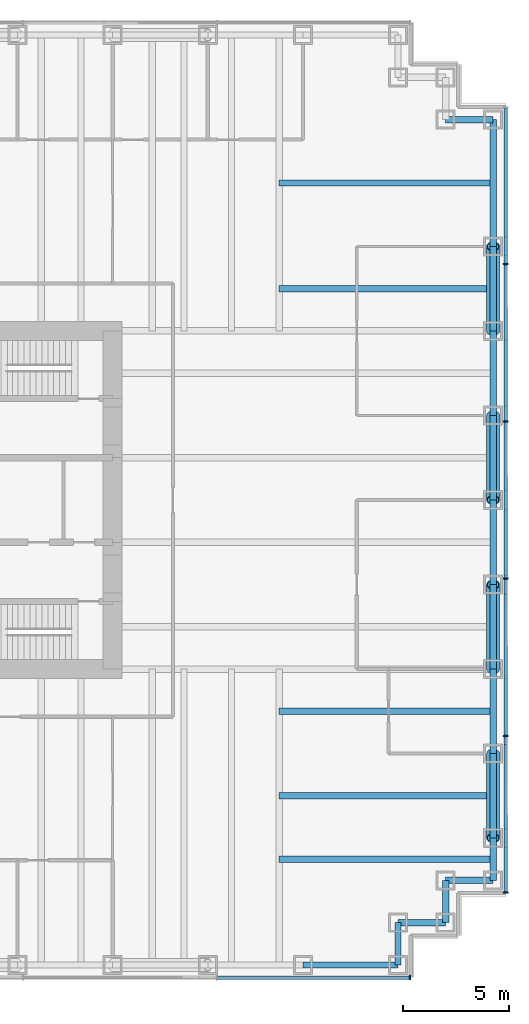
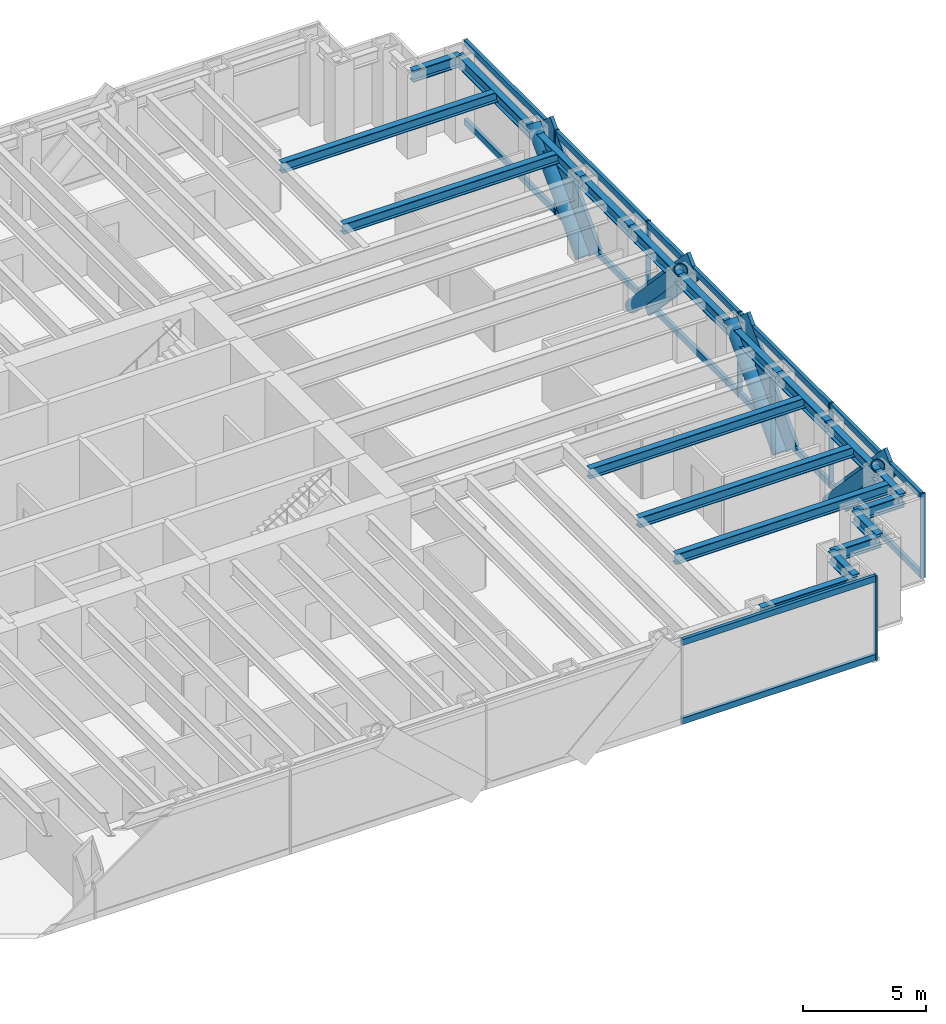
# One storey, part 8 of 16: 26 members, 20 beams, 2 elements without a shape of their own.
"""IFC4 building model written with IfcOpenShell, lengths in metres."""

from ifc_helpers import new_model, si_unit, direction, frame, origin, origin_2d, place, context, subcontext, project, spatial, rectangle, hollow_circle, i_section, extrude, material, material_profile, profile_set, type_object, element, aggregate, save


model = new_model("IFC4")

# Units and contexts
model_context = context("Model", 3, precision=1e-05, world=origin(), true_north=direction((0.0, 1.0)))
body_context = subcontext(model_context, "Body", "Model", "MODEL_VIEW")
ifc_project = project(units=[si_unit("LENGTHUNIT", "METRE"), si_unit("AREAUNIT", "SQUARE_METRE"), si_unit("VOLUMEUNIT", "CUBIC_METRE"), si_unit("PLANEANGLEUNIT", "RADIAN"), si_unit("MASSUNIT", "GRAM", prefix="KILO")], contexts=[model_context])

# Site, building, storey
site_placement = place(None, origin())
site = spatial("IfcSite", under=ifc_project, at=site_placement, CompositionType="ELEMENT")
building_placement = place(site_placement, origin())
building = spatial("IfcBuilding", under=site, at=building_placement, Name="Rheinbord Bourse Tower", CompositionType="ELEMENT")
storey_placement = place(building_placement, frame((0.0, 0.0, 171.89990234375)))
storey = spatial("IfcBuildingStorey", under=building, at=storey_placement, Name="L38", CompositionType="ELEMENT", Elevation=171.89990234375)

# Curtain wall, members
ifc_material_1 = material(Name="Dark glass and black aluminium", Category="aluminium")
curtain_wall_type = type_object("IfcCurtainWallType", Name="CW2 DARK GLASS CURTAIN WALL", PredefinedType="USERDEFINED", material=ifc_material_1)
curtain_wall_1_placement = place(storey_placement, origin())
curtain_wall_1 = element("IfcCurtainWall", 1, at=curtain_wall_1_placement, inside=storey, type_object=curtain_wall_type, Name="Curtain wall CW2 E L38", ObjectType="UNITISED CURTAIN WALL", PredefinedType="USERDEFINED")
ifc_material_2 = material(Name="Black anodised aluminium", Category="aluminium")
ifc_material_profile_1 = material_profile(ifc_material_2, rectangle(XDim=0.159912109375, YDim=1.2099609375, at=origin_2d()), Name="CW2 DIAGONAL MULLION 1210x160")
ifc_profile_set_1 = profile_set([ifc_material_profile_1], Name="Black anodised aluminium")
member_type_1 = type_object("IfcMemberType", Name="CW2 BLACK DIAGONAL MULLION", PredefinedType="USERDEFINED", material=ifc_profile_set_1)
member_1_placement = place(storey_placement, frame((72.60009765625, 16.0, 0.0), z_axis=(0.0, 0.689638355374, 0.72415394689), x_axis=(-1.0, 0.0, 0.0)))
member_1 = element("IfcMember", 2, at=member_1_placement, type_object=member_type_1, Name="CW2 diagonal mullion a", ObjectType="DIAGONAL MULLION", PredefinedType="USERDEFINED", context=body_context, shape_type="SweptSolid", body=[
    extrude(rectangle(XDim=0.159912109375, YDim=1.2099609375, at=origin_2d()), origin(), (0.0, 0.0, 1.0), 5.800048828125),
])
member_2_placement = place(storey_placement, frame((72.60009765625, 28.0, 0.0), z_axis=(0.0, -0.689638355374, 0.72415394689), x_axis=(1.0, 0.0, 0.0)))
member_2 = element("IfcMember", 3, at=member_2_placement, type_object=member_type_1, Name="CW2 diagonal mullion b", ObjectType="DIAGONAL MULLION", PredefinedType="USERDEFINED", context=body_context, shape_type="SweptSolid", body=[
    extrude(rectangle(XDim=0.159912109375, YDim=1.2099609375, at=origin_2d()), origin(), (0.0, 0.0, 1.0), 5.800048828125),
])
member_3_placement = place(storey_placement, frame((72.60009765625, 32.0, 0.0), z_axis=(0.0, 0.689638355374, 0.72415394689), x_axis=(-1.0, 0.0, 0.0)))
member_3 = element("IfcMember", 4, at=member_3_placement, type_object=member_type_1, Name="CW2 diagonal mullion c", ObjectType="DIAGONAL MULLION", PredefinedType="USERDEFINED", context=body_context, shape_type="SweptSolid", body=[
    extrude(rectangle(XDim=0.159912109375, YDim=1.2099609375, at=origin_2d()), origin(), (0.0, 0.0, 1.0), 5.800048828125),
])
member_4_placement = place(storey_placement, frame((72.60009765625, 12.0, 0.0), z_axis=(0.0, -0.689638355374, 0.72415394689), x_axis=(1.0, 0.0, 0.0)))
member_4 = element("IfcMember", 5, at=member_4_placement, type_object=member_type_1, Name="CW2 diagonal mullion d", ObjectType="DIAGONAL MULLION", PredefinedType="USERDEFINED", context=body_context, shape_type="SweptSolid", body=[
    extrude(rectangle(XDim=0.159912109375, YDim=1.2099609375, at=origin_2d()), origin(), (0.0, 0.0, 1.0), 5.800048828125),
])

# Curtain wall, member
curtain_wall_2_placement = place(storey_placement, origin())
curtain_wall_2 = element("IfcCurtainWall", 6, at=curtain_wall_2_placement, inside=storey, type_object=curtain_wall_type, Name="Curtain wall CW2 S L38", ObjectType="UNITISED CURTAIN WALL", PredefinedType="USERDEFINED")
ifc_material_3 = material(Name="Black anodised aluminium", Category="aluminium")
ifc_material_profile_2 = material_profile(ifc_material_3, rectangle(XDim=0.219970703125, YDim=0.070068359375, at=origin_2d()), Name="CW2 MULLION 70x220")
ifc_profile_set_2 = profile_set([ifc_material_profile_2], Name="Black anodised aluminium")
member_type_2 = type_object("IfcMemberType", Name="CW2 BLACK MULLION", PredefinedType="MULLION", material=ifc_profile_set_2)
member_5_placement = place(storey_placement, frame((68.06494140625, 1.39990234375, 0.0), z_axis=(0.0, 0.0, 1.0), x_axis=(0.0, 1.0, 0.0)))
member_5 = element("IfcMember", 7, at=member_5_placement, type_object=member_type_2, Name="CW2 mullion 8", PredefinedType="MULLION", context=body_context, shape_type="SweptSolid", body=[
    extrude(rectangle(XDim=0.219970703125, YDim=0.070068359375, at=origin_2d()), origin(), (0.0, 0.0, 1.0), 4.2001953125),
])

# Member
member_6_placement = place(storey_placement, frame((72.60009765625, 5.43505859375, 0.0), z_axis=(0.0, 0.0, 1.0), x_axis=(-1.0, 0.0, 0.0)))
member_6 = element("IfcMember", 8, at=member_6_placement, type_object=member_type_2, Name="CW2 mullion 1", PredefinedType="MULLION", context=body_context, shape_type="SweptSolid", body=[
    extrude(rectangle(XDim=0.219970703125, YDim=0.070068359375, at=origin_2d()), origin(), (0.0, 0.0, 1.0), 4.2001953125),
])

member_7_placement = place(storey_placement, frame((72.60009765625, 12.840087890625, 0.0), z_axis=(0.0, 0.0, 1.0), x_axis=(-1.0, 0.0, 0.0)))
member_7 = element("IfcMember", 9, at=member_7_placement, type_object=member_type_2, Name="CW2 mullion 2", PredefinedType="MULLION", context=body_context, shape_type="SweptSolid", body=[
    extrude(rectangle(XDim=0.219970703125, YDim=0.070068359375, at=origin_2d()), origin(), (0.0, 0.0, 1.0), 4.2001953125),
])

member_8_placement = place(storey_placement, frame((72.60009765625, 20.280029296875, 0.0), z_axis=(0.0, 0.0, 1.0), x_axis=(-1.0, 0.0, 0.0)))
member_8 = element("IfcMember", 10, at=member_8_placement, type_object=member_type_2, Name="CW2 mullion 3", PredefinedType="MULLION", context=body_context, shape_type="SweptSolid", body=[
    extrude(rectangle(XDim=0.219970703125, YDim=0.070068359375, at=origin_2d()), origin(), (0.0, 0.0, 1.0), 4.2001953125),
])

member_9_placement = place(storey_placement, frame((72.60009765625, 27.719970703125, 0.0), z_axis=(0.0, 0.0, 1.0), x_axis=(-1.0, 0.0, 0.0)))
member_9 = element("IfcMember", 11, at=member_9_placement, type_object=member_type_2, Name="CW2 mullion 4", PredefinedType="MULLION", context=body_context, shape_type="SweptSolid", body=[
    extrude(rectangle(XDim=0.219970703125, YDim=0.070068359375, at=origin_2d()), origin(), (0.0, 0.0, 1.0), 4.2001953125),
])

member_10_placement = place(storey_placement, frame((72.60009765625, 35.159912109375, 0.0), z_axis=(0.0, 0.0, 1.0), x_axis=(-1.0, 0.0, 0.0)))
member_10 = element("IfcMember", 12, at=member_10_placement, type_object=member_type_2, Name="CW2 mullion 5", PredefinedType="MULLION", context=body_context, shape_type="SweptSolid", body=[
    extrude(rectangle(XDim=0.219970703125, YDim=0.070068359375, at=origin_2d()), origin(), (0.0, 0.0, 1.0), 4.2001953125),
])

ifc_material_4 = material(Name="Black anodised aluminium", Category="aluminium")
ifc_material_profile_3 = material_profile(ifc_material_4, rectangle(XDim=0.159912109375, YDim=0.300048828125, at=origin_2d()), Name="CW2 TRANSOM 300x160")
ifc_profile_set_3 = profile_set([ifc_material_profile_3], Name="Black anodised aluminium")
member_type_3 = type_object("IfcMemberType", Name="CW2 BLACK TRANSOM", PredefinedType="USERDEFINED", material=ifc_profile_set_3)
member_11_placement = place(storey_placement, frame((58.963623046875, 1.39990234375, 0.150146484375), z_axis=(1.0, 0.0, 0.0), x_axis=(0.0, 1.0, 0.0)))
member_11 = element("IfcMember", 13, at=member_11_placement, type_object=member_type_3, Name="CW2 transom 7.1", ObjectType="TRANSOM", PredefinedType="USERDEFINED", context=body_context, shape_type="SweptSolid", body=[
    extrude(rectangle(XDim=0.159912109375, YDim=0.300048828125, at=origin_2d()), origin(), (0.0, 0.0, 1.0), 9.06640625),
])

member_12_placement = place(storey_placement, frame((58.963623046875, 1.39990234375, 4.050048828125), z_axis=(1.0, 0.0, 0.0), x_axis=(0.0, 1.0, 0.0)))
member_12 = element("IfcMember", 14, at=member_12_placement, type_object=member_type_3, Name="CW2 transom 7.2", ObjectType="TRANSOM", PredefinedType="USERDEFINED", context=body_context, shape_type="SweptSolid", body=[
    extrude(rectangle(XDim=0.159912109375, YDim=0.300048828125, at=origin_2d()), origin(), (0.0, 0.0, 1.0), 9.06640625),
])

aggregate(curtain_wall_2, [member_5, member_11, member_12])

member_13_placement = place(storey_placement, frame((72.60009765625, 5.469970703125, 0.150146484375), z_axis=(0.0, 1.0, 0.0), x_axis=(-1.0, 0.0, 0.0)))
member_13 = element("IfcMember", 15, at=member_13_placement, type_object=member_type_3, Name="CW2 transom 1.1", ObjectType="TRANSOM", PredefinedType="USERDEFINED", context=body_context, shape_type="SweptSolid", body=[
    extrude(rectangle(XDim=0.159912109375, YDim=0.300048828125, at=origin_2d()), origin(), (0.0, 0.0, 1.0), 7.3349609375),
])

member_14_placement = place(storey_placement, frame((72.60009765625, 5.469970703125, 4.050048828125), z_axis=(0.0, 1.0, 0.0), x_axis=(-1.0, 0.0, 0.0)))
member_14 = element("IfcMember", 16, at=member_14_placement, type_object=member_type_3, Name="CW2 transom 1.2", ObjectType="TRANSOM", PredefinedType="USERDEFINED", context=body_context, shape_type="SweptSolid", body=[
    extrude(rectangle(XDim=0.159912109375, YDim=0.300048828125, at=origin_2d()), origin(), (0.0, 0.0, 1.0), 7.3349609375),
])

member_15_placement = place(storey_placement, frame((72.60009765625, 12.875, 0.150146484375), z_axis=(0.0, 1.0, 0.0), x_axis=(-1.0, 0.0, 0.0)))
member_15 = element("IfcMember", 17, at=member_15_placement, type_object=member_type_3, Name="CW2 transom 2.1", ObjectType="TRANSOM", PredefinedType="USERDEFINED", context=body_context, shape_type="SweptSolid", body=[
    extrude(rectangle(XDim=0.159912109375, YDim=0.300048828125, at=origin_2d()), origin(), (0.0, 0.0, 1.0), 7.3701171875),
])

member_16_placement = place(storey_placement, frame((72.60009765625, 12.875, 4.050048828125), z_axis=(0.0, 1.0, 0.0), x_axis=(-1.0, 0.0, 0.0)))
member_16 = element("IfcMember", 18, at=member_16_placement, type_object=member_type_3, Name="CW2 transom 2.2", ObjectType="TRANSOM", PredefinedType="USERDEFINED", context=body_context, shape_type="SweptSolid", body=[
    extrude(rectangle(XDim=0.159912109375, YDim=0.300048828125, at=origin_2d()), origin(), (0.0, 0.0, 1.0), 7.3701171875),
])

member_17_placement = place(storey_placement, frame((72.60009765625, 20.31494140625, 0.150146484375), z_axis=(0.0, 1.0, 0.0), x_axis=(-1.0, 0.0, 0.0)))
member_17 = element("IfcMember", 19, at=member_17_placement, type_object=member_type_3, Name="CW2 transom 3.1", ObjectType="TRANSOM", PredefinedType="USERDEFINED", context=body_context, shape_type="SweptSolid", body=[
    extrude(rectangle(XDim=0.159912109375, YDim=0.300048828125, at=origin_2d()), origin(), (0.0, 0.0, 1.0), 7.3701171875),
])

member_18_placement = place(storey_placement, frame((72.60009765625, 20.31494140625, 4.050048828125), z_axis=(0.0, 1.0, 0.0), x_axis=(-1.0, 0.0, 0.0)))
member_18 = element("IfcMember", 20, at=member_18_placement, type_object=member_type_3, Name="CW2 transom 3.2", ObjectType="TRANSOM", PredefinedType="USERDEFINED", context=body_context, shape_type="SweptSolid", body=[
    extrude(rectangle(XDim=0.159912109375, YDim=0.300048828125, at=origin_2d()), origin(), (0.0, 0.0, 1.0), 7.3701171875),
])

member_19_placement = place(storey_placement, frame((72.60009765625, 27.7548828125, 0.150146484375), z_axis=(0.0, 1.0, 0.0), x_axis=(-1.0, 0.0, 0.0)))
member_19 = element("IfcMember", 21, at=member_19_placement, type_object=member_type_3, Name="CW2 transom 4.1", ObjectType="TRANSOM", PredefinedType="USERDEFINED", context=body_context, shape_type="SweptSolid", body=[
    extrude(rectangle(XDim=0.159912109375, YDim=0.300048828125, at=origin_2d()), origin(), (0.0, 0.0, 1.0), 7.3701171875),
])

member_20_placement = place(storey_placement, frame((72.60009765625, 27.7548828125, 4.050048828125), z_axis=(0.0, 1.0, 0.0), x_axis=(-1.0, 0.0, 0.0)))
member_20 = element("IfcMember", 22, at=member_20_placement, type_object=member_type_3, Name="CW2 transom 4.2", ObjectType="TRANSOM", PredefinedType="USERDEFINED", context=body_context, shape_type="SweptSolid", body=[
    extrude(rectangle(XDim=0.159912109375, YDim=0.300048828125, at=origin_2d()), origin(), (0.0, 0.0, 1.0), 7.3701171875),
])

member_21_placement = place(storey_placement, frame((72.60009765625, 35.195068359375, 0.150146484375), z_axis=(0.0, 1.0, 0.0), x_axis=(-1.0, 0.0, 0.0)))
member_21 = element("IfcMember", 23, at=member_21_placement, type_object=member_type_3, Name="CW2 transom 5.1", ObjectType="TRANSOM", PredefinedType="USERDEFINED", context=body_context, shape_type="SweptSolid", body=[
    extrude(rectangle(XDim=0.159912109375, YDim=0.300048828125, at=origin_2d()), origin(), (0.0, 0.0, 1.0), 7.3349609375),
])

member_22_placement = place(storey_placement, frame((72.60009765625, 35.195068359375, 4.050048828125), z_axis=(0.0, 1.0, 0.0), x_axis=(-1.0, 0.0, 0.0)))
member_22 = element("IfcMember", 24, at=member_22_placement, type_object=member_type_3, Name="CW2 transom 5.2", ObjectType="TRANSOM", PredefinedType="USERDEFINED", context=body_context, shape_type="SweptSolid", body=[
    extrude(rectangle(XDim=0.159912109375, YDim=0.300048828125, at=origin_2d()), origin(), (0.0, 0.0, 1.0), 7.3349609375),
])

aggregate(curtain_wall_1, [member_6, member_7, member_8, member_9, member_10, member_13, member_14, member_15, member_16, member_17, member_18, member_19, member_20, member_21, member_22, member_1, member_2, member_3, member_4])

# Members
ifc_material_5 = material(Name="Steel S460", Category="steel")
ifc_material_profile_4 = material_profile(ifc_material_5, hollow_circle(Radius=0.304931640625, WallThickness=0.0400390625, at=origin_2d()), Name="CHS 610x40")
ifc_profile_set_4 = profile_set([ifc_material_profile_4], Name="Steel S460")
member_type_4 = type_object("IfcMemberType", Name="MEGABRACE CHS 610x40", PredefinedType="BRACE", material=ifc_profile_set_4)
for number, where, z_axis, x_axis, name in (
    (25, (72.0, 16.0, 0.0), (0.0, 0.689638355374, 0.72415394689), (-1.0, 0.0, 0.0), "Megabrace E face line a L38"),
    (26, (72.0, 28.0, 0.0), (0.0, -0.689638355374, 0.72415394689), (1.0, 0.0, 0.0), "Megabrace E face line b L38"),
    (27, (72.0, 32.0, 0.0), (0.0, 0.689638355374, 0.72415394689), (-1.0, 0.0, 0.0), "Megabrace E face line c L38"),
    (28, (72.0, 12.0, 0.0), (0.0, -0.689638355374, 0.72415394689), (1.0, 0.0, 0.0), "Megabrace E face line d L38"),
):
    element("IfcMember", number, at=place(storey_placement, frame(where, z_axis=z_axis, x_axis=x_axis)), inside=storey, type_object=member_type_4, Name=name, PredefinedType="BRACE", context=body_context, shape_type="SweptSolid", body=[
        extrude(hollow_circle(Radius=0.304931640625, WallThickness=0.0400390625, at=origin_2d()), origin(), (0.0, 0.0, 1.0), 5.800048828125),
    ])

# Beams
ifc_material_6 = material(Name="Steel S460", Category="steel")
ifc_material_profile_5 = material_profile(ifc_material_6, i_section(OverallWidth=0.305908203125, OverallDepth=0.572021484375, WebThickness=0.02099609375, FlangeThickness=0.0400390625, at=origin_2d()), Name="HEM 550")
ifc_profile_set_5 = profile_set([ifc_material_profile_5], Name="Steel S460")
beam_type_1 = type_object("IfcBeamType", Name="SPANDREL HEM 550", PredefinedType="SPANDREL", material=ifc_profile_set_5)
beam_1_placement = place(storey_placement, frame((63.0, 2.0, 3.754150390625), z_axis=(1.0, 0.0, 0.0), x_axis=(0.0, 1.0, 0.0)))
element("IfcBeam", 29, at=beam_1_placement, inside=storey, type_object=beam_type_1, Name="Spandrel S-63-SE-E under L39", PredefinedType="SPANDREL", context=body_context, shape_type="SweptSolid", body=[
    extrude(i_section(OverallWidth=0.305908203125, OverallDepth=0.572021484375, WebThickness=0.02099609375, FlangeThickness=0.0400390625, at=origin_2d()), origin(), (0.0, 0.0, 1.0), 4.5),
])
beam_2_placement = place(storey_placement, frame((67.5, 2.0, 3.754150390625), z_axis=(0.0, 1.0, 0.0), x_axis=(-1.0, 0.0, 0.0)))
element("IfcBeam", 30, at=beam_2_placement, inside=storey, type_object=beam_type_1, Name="Spandrel SE-E-SE-D under L39", PredefinedType="SPANDREL", context=body_context, shape_type="SweptSolid", body=[
    extrude(i_section(OverallWidth=0.305908203125, OverallDepth=0.572021484375, WebThickness=0.02099609375, FlangeThickness=0.0400390625, at=origin_2d()), origin(), (0.0, 0.0, 1.0), 2.0),
])
beam_3_placement = place(storey_placement, frame((67.5, 4.0, 3.754150390625), z_axis=(1.0, 0.0, 0.0), x_axis=(0.0, 1.0, 0.0)))
element("IfcBeam", 31, at=beam_3_placement, inside=storey, type_object=beam_type_1, Name="Spandrel SE-D-SE-C under L39", PredefinedType="SPANDREL", context=body_context, shape_type="SweptSolid", body=[
    extrude(i_section(OverallWidth=0.305908203125, OverallDepth=0.572021484375, WebThickness=0.02099609375, FlangeThickness=0.0400390625, at=origin_2d()), origin(), (0.0, 0.0, 1.0), 2.25),
])
beam_4_placement = place(storey_placement, frame((69.75, 4.0, 3.754150390625), z_axis=(0.0, 1.0, 0.0), x_axis=(-1.0, 0.0, 0.0)))
element("IfcBeam", 32, at=beam_4_placement, inside=storey, type_object=beam_type_1, Name="Spandrel SE-C-SE-B under L39", PredefinedType="SPANDREL", context=body_context, shape_type="SweptSolid", body=[
    extrude(i_section(OverallWidth=0.305908203125, OverallDepth=0.572021484375, WebThickness=0.02099609375, FlangeThickness=0.0400390625, at=origin_2d()), origin(), (0.0, 0.0, 1.0), 2.0),
])
beam_5_placement = place(storey_placement, frame((69.75, 6.0, 3.754150390625), z_axis=(1.0, 0.0, 0.0), x_axis=(0.0, 1.0, 0.0)))
element("IfcBeam", 33, at=beam_5_placement, inside=storey, type_object=beam_type_1, Name="Spandrel SE-B-SE-A under L39", PredefinedType="SPANDREL", context=body_context, shape_type="SweptSolid", body=[
    extrude(i_section(OverallWidth=0.305908203125, OverallDepth=0.572021484375, WebThickness=0.02099609375, FlangeThickness=0.0400390625, at=origin_2d()), origin(), (0.0, 0.0, 1.0), 2.25),
])
beam_6_placement = place(storey_placement, frame((72.0, 6.0, 3.754150390625), z_axis=(0.0, 1.0, 0.0), x_axis=(-1.0, 0.0, 0.0)))
element("IfcBeam", 34, at=beam_6_placement, inside=storey, type_object=beam_type_1, Name="Spandrel SE-A-E-8 under L39", PredefinedType="SPANDREL", context=body_context, shape_type="SweptSolid", body=[
    extrude(i_section(OverallWidth=0.305908203125, OverallDepth=0.572021484375, WebThickness=0.02099609375, FlangeThickness=0.0400390625, at=origin_2d()), origin(), (0.0, 0.0, 1.0), 2.0),
])
for number, where, z_axis, x_axis, name in (
    (35, (72.0, 8.0, 3.754150390625), (0.0, 1.0, 0.0), (-1.0, 0.0, 0.0), "Spandrel E-8-E-12 under L39"),
    (36, (72.0, 12.0, 3.754150390625), (0.0, 1.0, 0.0), (-1.0, 0.0, 0.0), "Spandrel E-12-E-16 under L39"),
    (37, (72.0, 16.0, 3.754150390625), (0.0, 1.0, 0.0), (-1.0, 0.0, 0.0), "Spandrel E-16-E-20 under L39"),
    (38, (72.0, 20.0, 3.754150390625), (0.0, 1.0, 0.0), (-1.0, 0.0, 0.0), "Spandrel E-20-E-24 under L39"),
    (39, (72.0, 24.0, 3.754150390625), (0.0, 1.0, 0.0), (-1.0, 0.0, 0.0), "Spandrel E-24-E-28 under L39"),
    (40, (72.0, 28.0, 3.754150390625), (0.0, 1.0, 0.0), (-1.0, 0.0, 0.0), "Spandrel E-28-E-32 under L39"),
    (41, (72.0, 32.0, 3.754150390625), (0.0, 1.0, 0.0), (-1.0, 0.0, 0.0), "Spandrel E-32-E-36 under L39"),
):
    element("IfcBeam", number, at=place(storey_placement, frame(where, z_axis=z_axis, x_axis=x_axis)), inside=storey, type_object=beam_type_1, Name=name, PredefinedType="SPANDREL", context=body_context, shape_type="SweptSolid", body=[
        extrude(i_section(OverallWidth=0.305908203125, OverallDepth=0.572021484375, WebThickness=0.02099609375, FlangeThickness=0.0400390625, at=origin_2d()), origin(), (0.0, 0.0, 1.0), 4.0),
    ])
beam_7_placement = place(storey_placement, frame((72.0, 36.0, 3.754150390625), z_axis=(0.0, 1.0, 0.0), x_axis=(-1.0, 0.0, 0.0)))
element("IfcBeam", 42, at=beam_7_placement, inside=storey, type_object=beam_type_1, Name="Spandrel E-36-NE-A under L39", PredefinedType="SPANDREL", context=body_context, shape_type="SweptSolid", body=[
    extrude(i_section(OverallWidth=0.305908203125, OverallDepth=0.572021484375, WebThickness=0.02099609375, FlangeThickness=0.0400390625, at=origin_2d()), origin(), (0.0, 0.0, 1.0), 6.0),
])
beam_8_placement = place(storey_placement, frame((72.0, 42.0, 3.754150390625), z_axis=(-1.0, 0.0, 0.0), x_axis=(0.0, -1.0, 0.0)))
element("IfcBeam", 43, at=beam_8_placement, inside=storey, type_object=beam_type_1, Name="Spandrel NE-A-NE-B under L39", PredefinedType="SPANDREL", context=body_context, shape_type="SweptSolid", body=[
    extrude(i_section(OverallWidth=0.305908203125, OverallDepth=0.572021484375, WebThickness=0.02099609375, FlangeThickness=0.0400390625, at=origin_2d()), origin(), (0.0, 0.0, 1.0), 2.25),
])
ifc_material_7 = material(Name="Steel S460", Category="steel")
ifc_material_profile_6 = material_profile(ifc_material_7, i_section(OverallWidth=0.300048828125, OverallDepth=0.5, WebThickness=0.014404296875, FlangeThickness=0.028076171875, at=origin_2d()), Name="HEB 500")
ifc_profile_set_6 = profile_set([ifc_material_profile_6], Name="Steel S460")
beam_type_2 = type_object("IfcBeamType", Name="TIE BEAM HEB 500", PredefinedType="JOIST", material=ifc_profile_set_6)
for number, where, z_axis, x_axis, name in (
    (44, (61.875, 7.0, 3.7900390625), (1.0, 0.0, 0.0), (0.0, 1.0, 0.0), "Tie east 7 L39"),
    (45, (61.875, 10.0, 3.7900390625), (1.0, 0.0, 0.0), (0.0, 1.0, 0.0), "Tie east 10 L39"),
    (46, (61.875, 14.0, 3.7900390625), (1.0, 0.0, 0.0), (0.0, 1.0, 0.0), "Tie east 14 L39"),
    (47, (61.875, 34.0, 3.7900390625), (1.0, 0.0, 0.0), (0.0, 1.0, 0.0), "Tie east 34 L39"),
    (48, (61.875, 39.0, 3.7900390625), (1.0, 0.0, 0.0), (0.0, 1.0, 0.0), "Tie east 39 L39"),
):
    element("IfcBeam", number, at=place(storey_placement, frame(where, z_axis=z_axis, x_axis=x_axis)), inside=storey, type_object=beam_type_2, Name=name, PredefinedType="JOIST", context=body_context, shape_type="SweptSolid", body=[
        extrude(i_section(OverallWidth=0.300048828125, OverallDepth=0.5, WebThickness=0.014404296875, FlangeThickness=0.028076171875, at=origin_2d()), origin(), (0.0, 0.0, 1.0), 10.125),
    ])

save(model, "model.ifc")
